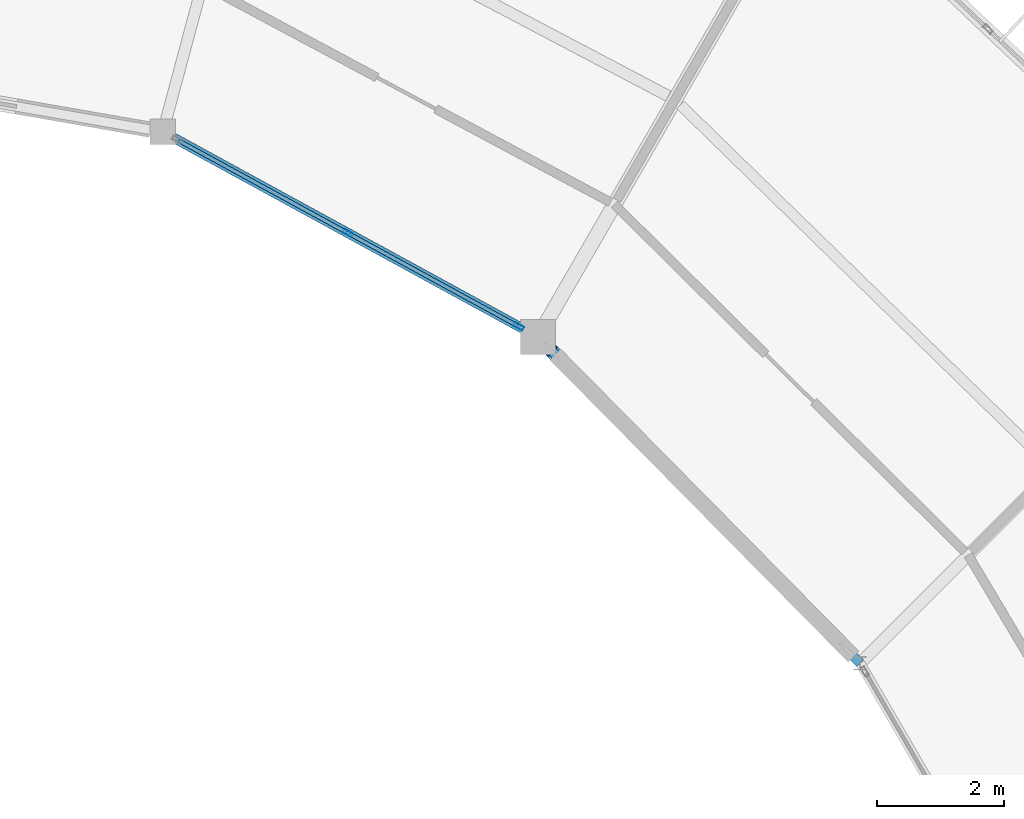
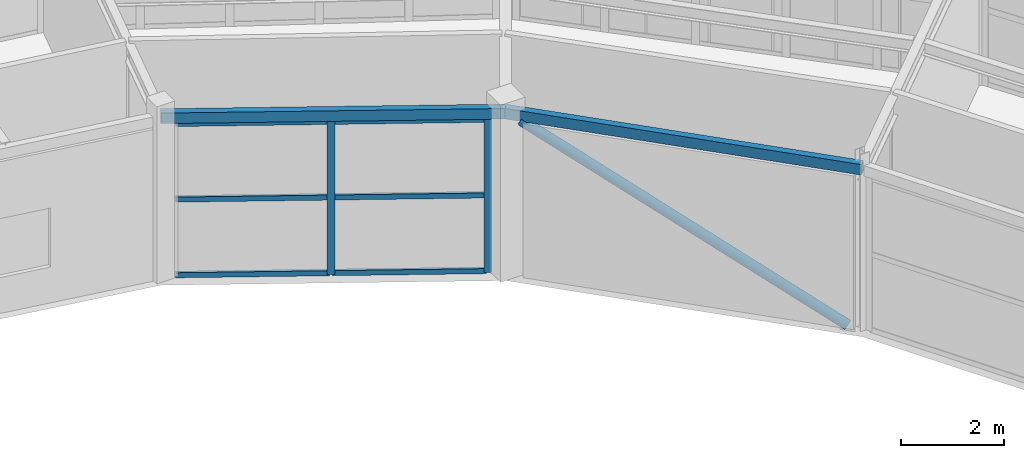
# One storey, part 67 of 106: 9 members, 2 beams, 1 element without a shape of its own.
"""IFC4 building model written with IfcOpenShell, lengths in metres."""

import ifcopenshell
import ifcopenshell.guid

model = None  # the IFC model being written
_history = None  # IfcOwnerHistory: only IFC2X3 demands one
_inside = {}  # id of a spatial element -> (the spatial element, [elements in it])
_under = {}  # id of a project, library or spatial element -> (it, [spatial elements below it])
_declared = {}  # id of a project -> (the project, [libraries it declares])
_typed = {}  # id of a type object -> (the type object, [elements of that type])
_made_of = {}  # id of a material, layer set ... -> (it, [elements and type objects made of it])


def new_model(schema):
    """Start an empty IFC model of exactly this schema.

    Asked for "IFC4X3", IfcOpenShell would pick the latest addendum, in which some entities
    have other attributes; the version numbers below select the first issue.
    IFC2X3 requires an IfcOwnerHistory on every rooted entity: one is made here for all.
    """
    global model, _history
    if schema == "IFC4X3":
        model = ifcopenshell.file(schema_version=(4, 3, 0, 0))
    else:
        model = ifcopenshell.file(schema=schema)
    _inside.clear()
    _under.clear()
    _declared.clear()
    _typed.clear()
    _made_of.clear()
    _history = None
    if model.schema == "IFC2X3":
        org = make("IfcOrganization", Name="unknown")
        user = make(
            "IfcPersonAndOrganization",
            ThePerson=make("IfcPerson", FamilyName="unknown"),
            TheOrganization=org,
        )
        app = make(
            "IfcApplication",
            ApplicationDeveloper=org,
            Version="unknown",
            ApplicationFullName="unknown",
            ApplicationIdentifier="unknown",
        )
        _history = make(
            "IfcOwnerHistory",
            OwningUser=user,
            OwningApplication=app,
            ChangeAction="ADDED",
            CreationDate=0,
        )
    return model


def make(cls, **values):
    """One entity of the class cls with the attributes given. An attribute that is None is left unset."""
    return model.create_entity(
        cls, **{name: value for name, value in values.items() if value is not None}
    )


def rooted(cls, **values):
    """An entity with a GlobalId (a new one), such as an element, a storey or a relation."""
    return make(cls, GlobalId=ifcopenshell.guid.new(), OwnerHistory=_history, **values)


def si_unit(unit_type, name, prefix=None):
    """IfcSIUnit, for example si_unit("LENGTHUNIT", "METRE", prefix="MILLI")."""
    return make("IfcSIUnit", UnitType=unit_type, Prefix=prefix, Name=name)


def assignment(units):
    """IfcUnitAssignment: the units of a project."""
    return None if units is None else make("IfcUnitAssignment", Units=units)


def point(xyz):
    """IfcCartesianPoint."""
    return None if xyz is None else make("IfcCartesianPoint", Coordinates=xyz)


def direction(xyz):
    """IfcDirection."""
    return None if xyz is None else make("IfcDirection", DirectionRatios=xyz)


def frame(location, z_axis=None, x_axis=None):
    """IfcAxis2Placement3D, a coordinate frame: its origin and axes. An axis left out is left unset."""
    return make(
        "IfcAxis2Placement3D",
        Location=point(location),
        Axis=direction(z_axis),
        RefDirection=direction(x_axis),
    )


def frame_2d(location, x_axis=None):
    """IfcAxis2Placement2D, a coordinate frame in the plane: its origin and x axis."""
    return make(
        "IfcAxis2Placement2D", Location=point(location), RefDirection=direction(x_axis)
    )


def origin():
    """The frame at (0, 0, 0) with its axes left unset."""
    return frame((0.0, 0.0, 0.0))


def origin_2d():
    """The frame at (0, 0) in the plane with its x axis left unset."""
    return frame_2d((0.0, 0.0))


def place(relative_to, where):
    """IfcLocalPlacement: puts the frame where relative to a parent placement (None: the world)."""
    return make(
        "IfcLocalPlacement", PlacementRelTo=relative_to, RelativePlacement=where
    )


def context(
    kind, dimensions, precision=None, world=None, true_north=None, identifier=None
):
    """IfcGeometricRepresentationContext, for example the 3D "Model" context."""
    return make(
        "IfcGeometricRepresentationContext",
        ContextIdentifier=identifier,
        ContextType=kind,
        CoordinateSpaceDimension=dimensions,
        Precision=precision,
        WorldCoordinateSystem=world,
        TrueNorth=true_north,
    )


def subcontext(parent, identifier, kind, view, scale=None):
    """IfcGeometricRepresentationSubContext, for example "Body" below "Model"."""
    return make(
        "IfcGeometricRepresentationSubContext",
        ContextIdentifier=identifier,
        ContextType=kind,
        ParentContext=parent,
        TargetScale=scale,
        TargetView=view,
    )


def project(units=None, contexts=None):
    """IfcProject with its units and contexts."""
    return rooted(
        "IfcProject",
        Name="project",
        RepresentationContexts=contexts,
        UnitsInContext=assignment(units),
    )


def spatial(cls, under=None, at=None, **own):
    """A site, building, storey or space (cls), placed at a placement, below another one or the project."""
    s = rooted(cls, ObjectPlacement=at, **own)
    if under is not None:
        _under.setdefault(under.id(), (under, []))[1].append(s)
    return s


def profile(cls, at=None, kind="AREA", **sizes):
    """A parametric profile (cls). Its sizes go by their IFC names, for example OverallWidth=200.0."""
    return make(cls, ProfileType=kind, Position=at, **sizes)


def hollow_rectangle(**sizes):
    """IfcRectangleHollowProfileDef."""
    return profile("IfcRectangleHollowProfileDef", **sizes)


def hollow_circle(**sizes):
    """IfcCircleHollowProfileDef."""
    return profile("IfcCircleHollowProfileDef", **sizes)


def extrude(swept, where, along, depth):
    """IfcExtrudedAreaSolid: the profile swept, set in the frame where, extruded along a direction by depth."""
    return make(
        "IfcExtrudedAreaSolid",
        SweptArea=swept,
        Position=where,
        ExtrudedDirection=direction(along),
        Depth=depth,
    )


def shape(context_of_items, identifier, shape_type, items):
    """IfcShapeRepresentation: the items that make up one representation, for example the "Body"."""
    return make(
        "IfcShapeRepresentation",
        ContextOfItems=context_of_items,
        RepresentationIdentifier=identifier,
        RepresentationType=shape_type,
        Items=items,
    )


def material(Name=None, Category=None):
    """IfcMaterial."""
    return make("IfcMaterial", Name=Name, Category=Category)


def material_profile(
    of_material, cross_section, Name=None, Category=None, Priority=None
):
    """IfcMaterialProfile: a cross section and its material."""
    return make(
        "IfcMaterialProfile",
        Name=Name,
        Material=of_material,
        Profile=cross_section,
        Priority=Priority,
        Category=Category,
    )


def profile_set(profiles, Name=None, composite=None):
    """IfcMaterialProfileSet."""
    return make(
        "IfcMaterialProfileSet",
        Name=Name,
        MaterialProfiles=profiles,
        CompositeProfile=composite,
    )


def made_of(thing, what):
    """Note that an element or type object is made of a material, layer set ...; save() writes the relation."""
    if what is not None:
        _made_of.setdefault(what.id(), (what, []))[1].append(thing)
    return thing


def type_object(cls, material=None, **own):
    """A type object (cls), such as IfcWallType, which elements share."""
    return made_of(rooted(cls, **own), material)


def element(
    cls,
    number,
    at=None,
    inside=None,
    cuts=None,
    type_object=None,
    material=None,
    context=None,
    identifier="Body",
    shape_type=None,
    held_by="IfcProductDefinitionShape",
    body=None,
    shapes=None,
    **own,
):
    """One element of the class cls, such as IfcWall. Its Tag is "e" and its number.

    at: its placement. inside: the storey or other place that contains it. cuts: it is an
    opening in that element (IfcRelVoidsElement). A single representation is given by context,
    identifier, shape_type and body (its items); several are given by shapes. held_by: the class
    of the entity that holds the representations. save() writes the other relations.
    """
    e = rooted(cls, Tag="e%d" % number, ObjectPlacement=at, **own)
    if body is not None:
        shapes = [shape(context, identifier, shape_type, body)]
    if shapes is not None:
        e.Representation = make(held_by, Representations=shapes)
    if inside is not None:
        _inside.setdefault(inside.id(), (inside, []))[1].append(e)
    if cuts is not None:
        rooted(
            "IfcRelVoidsElement", RelatingBuildingElement=cuts, RelatedOpeningElement=e
        )
    if type_object is not None:
        _typed.setdefault(type_object.id(), (type_object, []))[1].append(e)
    return made_of(e, material)


def aggregate(whole, parts):
    """IfcRelAggregates: a whole, such as a stair, and the parts it consists of."""
    return rooted("IfcRelAggregates", RelatingObject=whole, RelatedObjects=parts)


def save(model, path):
    """Write the relations noted so far, then the file.

    IfcRelAggregates (storeys below a building ...), IfcRelContainedInSpatialStructure (elements
    in a storey), IfcRelDefinesByType, IfcRelAssociatesMaterial and IfcRelDeclares: one each for
    every whole, place, type object, material and project.
    """
    for whole, parts in _under.values():
        aggregate(whole, parts)
    for where, things in _inside.values():
        rooted(
            "IfcRelContainedInSpatialStructure",
            RelatedElements=things,
            RelatingStructure=where,
        )
    for kind, things in _typed.values():
        rooted("IfcRelDefinesByType", RelatedObjects=things, RelatingType=kind)
    for what, things in _made_of.values():
        rooted("IfcRelAssociatesMaterial", RelatedObjects=things, RelatingMaterial=what)
    for by, libraries in _declared.values():
        rooted("IfcRelDeclares", RelatingContext=by, RelatedDefinitions=libraries)
    model.write(path)


model = new_model("IFC4")

# Units and contexts
model_context = context("Model", 3, precision=1e-05, world=origin(), true_north=direction((0.0, 1.0)))
body_context = subcontext(model_context, "Body", "Model", "MODEL_VIEW")
ifc_project = project(units=[si_unit("LENGTHUNIT", "METRE"), si_unit("AREAUNIT", "SQUARE_METRE"), si_unit("VOLUMEUNIT", "CUBIC_METRE"), si_unit("PLANEANGLEUNIT", "RADIAN"), si_unit("MASSUNIT", "GRAM", prefix="KILO")], contexts=[model_context])

# Site, building, storey
site_placement = place(None, origin())
site = spatial("IfcSite", under=ifc_project, at=site_placement, CompositionType="ELEMENT")
building_placement = place(site_placement, origin())
building = spatial("IfcBuilding", under=site, at=building_placement, Name="Karori Crest Natural Sciences Institute", CompositionType="ELEMENT")
storey_placement = place(building_placement, frame((0.0, 0.0, 25.89990234375)))
storey = spatial("IfcBuildingStorey", under=building, at=storey_placement, Name="L06", CompositionType="ELEMENT", Elevation=25.89990234375)

# Beams
ifc_material_1 = material(Name="Hollow structural steel AS/NZS 1163 Grade C350", Category="steel")
ifc_material_profile_1 = material_profile(ifc_material_1, hollow_rectangle(XDim=0.14990234375, YDim=0.25, WallThickness=0.009033203125, at=origin_2d()), Name="RHS250x150x9")
ifc_profile_set_1 = profile_set([ifc_material_profile_1], Name="Hollow structural steel AS/NZS 1163 Grade C350")
beam_type = type_object("IfcBeamType", Name="BT-16", PredefinedType="SPANDREL", material=ifc_profile_set_1)
beam_1_placement = place(storey_placement, frame((83.6533203125, 72.668701171875, 3.7900390625), z_axis=(-0.702645672149, 0.711539921164, 0.0), x_axis=(-0.711539921164, -0.702645672149, 0.0)))
element("IfcBeam", 1, at=beam_1_placement, inside=storey, type_object=beam_type, Name="Beam B-0630", PredefinedType="SPANDREL", context=body_context, shape_type="SweptSolid", body=[
    extrude(hollow_rectangle(XDim=0.14990234375, YDim=0.25, WallThickness=0.009033203125, at=origin_2d()), origin(), (0.0, 0.0, 1.0), 7.191650390625),
])
beam_2_placement = place(storey_placement, frame((78.60009765625, 77.785888671875, 3.7900390625), z_axis=(-0.877469531616, 0.47963238119, 0.0), x_axis=(-0.47963238119, -0.877469531616, 0.0)))
element("IfcBeam", 2, at=beam_2_placement, inside=storey, type_object=beam_type, Name="Beam B-0634", PredefinedType="SPANDREL", context=body_context, shape_type="SweptSolid", body=[
    extrude(hollow_rectangle(XDim=0.14990234375, YDim=0.25, WallThickness=0.009033203125, at=origin_2d()), origin(), (0.0, 0.0, 1.0), 6.706787109375),
])

# Curtain wall, members
ifc_material_2 = material(Name="Anodised architectural aluminium 6063-T6", Category="aluminium")
curtain_wall_type = type_object("IfcCurtainWallType", Name="CWT-15", PredefinedType="NOTDEFINED", material=ifc_material_2)
curtain_wall_placement = place(storey_placement, origin())
curtain_wall = element("IfcCurtainWall", 3, at=curtain_wall_placement, inside=storey, type_object=curtain_wall_type, Name="Curtain wall CW-0227", PredefinedType="NOTDEFINED")
ifc_material_profile_2 = material_profile(ifc_material_2, hollow_rectangle(XDim=0.06494140625, YDim=0.159912109375, WallThickness=0.00390625, at=origin_2d()), Name="CWM160x65x4")
ifc_profile_set_2 = profile_set([ifc_material_profile_2], Name="Anodised architectural aluminium 6063-T6")
member_type_1 = type_object("IfcMemberType", Name="CWM-01", PredefinedType="MULLION", material=ifc_profile_set_2)
member_1_placement = place(storey_placement, frame((78.29833984375, 77.950927734375, 0.0), z_axis=(0.0, 0.0, 1.0), x_axis=(-0.479631017431, -0.877470277057, 0.0)))
member_1 = element("IfcMember", 4, at=member_1_placement, type_object=member_type_1, Name="CW-0227 mullion 1", PredefinedType="MULLION", context=body_context, shape_type="SweptSolid", body=[
    extrude(hollow_rectangle(XDim=0.06494140625, YDim=0.159912109375, WallThickness=0.00390625, at=origin_2d()), origin(), (0.0, 0.0, 1.0), 3.650146484375),
])
member_2_placement = place(storey_placement, frame((75.6201171875, 79.414794921875, 0.0), z_axis=(0.0, 0.0, 1.0), x_axis=(-0.479631017431, -0.877470277057, 0.0)))
member_2 = element("IfcMember", 5, at=member_2_placement, type_object=member_type_1, Name="CW-0227 mullion 2", PredefinedType="MULLION", context=body_context, shape_type="SweptSolid", body=[
    extrude(hollow_rectangle(XDim=0.06494140625, YDim=0.159912109375, WallThickness=0.00390625, at=origin_2d()), origin(), (0.0, 0.0, 1.0), 3.650146484375),
])
ifc_material_profile_3 = material_profile(ifc_material_2, hollow_rectangle(XDim=0.06005859375, YDim=0.1201171875, WallThickness=0.00390625, at=origin_2d()), Name="CWT120x60x4")
ifc_profile_set_3 = profile_set([ifc_material_profile_3], Name="Anodised architectural aluminium 6063-T6")
member_type_2 = type_object("IfcMemberType", Name="CWT-TR1", PredefinedType="USERDEFINED", material=ifc_profile_set_3)
member_3_placement = place(storey_placement, frame((78.269775390625, 77.966552734375, 0.030029296875), z_axis=(-0.877448541585, 0.479670779672, 0.0), x_axis=(-0.479670779672, -0.877448541585, 0.0)))
member_3 = element("IfcMember", 6, at=member_3_placement, type_object=member_type_2, Name="CW-0227 transom 1.1", ObjectType="TRANSOM", PredefinedType="USERDEFINED", context=body_context, shape_type="SweptSolid", body=[
    extrude(hollow_rectangle(XDim=0.06005859375, YDim=0.1201171875, WallThickness=0.00390625, at=origin_2d()), origin(), (0.0, 0.0, 1.0), 2.987060546875),
])
member_4_placement = place(storey_placement, frame((78.269775390625, 77.966552734375, 1.8251953125), z_axis=(-0.877448541585, 0.479670779672, 0.0), x_axis=(-0.479670779672, -0.877448541585, 0.0)))
member_4 = element("IfcMember", 7, at=member_4_placement, type_object=member_type_2, Name="CW-0227 transom 1.2", ObjectType="TRANSOM", PredefinedType="USERDEFINED", context=body_context, shape_type="SweptSolid", body=[
    extrude(hollow_rectangle(XDim=0.06005859375, YDim=0.1201171875, WallThickness=0.00390625, at=origin_2d()), origin(), (0.0, 0.0, 1.0), 2.987060546875),
])
member_5_placement = place(storey_placement, frame((78.269775390625, 77.966552734375, 3.6201171875), z_axis=(-0.877448541585, 0.479670779672, 0.0), x_axis=(-0.479670779672, -0.877448541585, 0.0)))
member_5 = element("IfcMember", 8, at=member_5_placement, type_object=member_type_2, Name="CW-0227 transom 1.3", ObjectType="TRANSOM", PredefinedType="USERDEFINED", context=body_context, shape_type="SweptSolid", body=[
    extrude(hollow_rectangle(XDim=0.06005859375, YDim=0.1201171875, WallThickness=0.00390625, at=origin_2d()), origin(), (0.0, 0.0, 1.0), 2.987060546875),
])
member_6_placement = place(storey_placement, frame((75.591552734375, 79.430419921875, 0.030029296875), z_axis=(-0.877448541585, 0.479670779672, 0.0), x_axis=(-0.479670779672, -0.877448541585, 0.0)))
member_6 = element("IfcMember", 9, at=member_6_placement, type_object=member_type_2, Name="CW-0227 transom 2.1", ObjectType="TRANSOM", PredefinedType="USERDEFINED", context=body_context, shape_type="SweptSolid", body=[
    extrude(hollow_rectangle(XDim=0.06005859375, YDim=0.1201171875, WallThickness=0.00390625, at=origin_2d()), origin(), (0.0, 0.0, 1.0), 2.987060546875),
])
member_7_placement = place(storey_placement, frame((75.591552734375, 79.430419921875, 1.8251953125), z_axis=(-0.877448541585, 0.479670779672, 0.0), x_axis=(-0.479670779672, -0.877448541585, 0.0)))
member_7 = element("IfcMember", 10, at=member_7_placement, type_object=member_type_2, Name="CW-0227 transom 2.2", ObjectType="TRANSOM", PredefinedType="USERDEFINED", context=body_context, shape_type="SweptSolid", body=[
    extrude(hollow_rectangle(XDim=0.06005859375, YDim=0.1201171875, WallThickness=0.00390625, at=origin_2d()), origin(), (0.0, 0.0, 1.0), 2.987060546875),
])
member_8_placement = place(storey_placement, frame((75.591552734375, 79.430419921875, 3.6201171875), z_axis=(-0.877448541585, 0.479670779672, 0.0), x_axis=(-0.479670779672, -0.877448541585, 0.0)))
member_8 = element("IfcMember", 11, at=member_8_placement, type_object=member_type_2, Name="CW-0227 transom 2.3", ObjectType="TRANSOM", PredefinedType="USERDEFINED", context=body_context, shape_type="SweptSolid", body=[
    extrude(hollow_rectangle(XDim=0.06005859375, YDim=0.1201171875, WallThickness=0.00390625, at=origin_2d()), origin(), (0.0, 0.0, 1.0), 2.987060546875),
])
aggregate(curtain_wall, [member_1, member_2, member_3, member_4, member_5, member_6, member_7, member_8])

# Member
ifc_material_profile_4 = material_profile(ifc_material_1, hollow_circle(Radius=0.109619140625, WallThickness=0.00830078125, at=origin_2d()), Name="CHS219.1x8.2")
ifc_profile_set_4 = profile_set([ifc_material_profile_4], Name="Hollow structural steel AS/NZS 1163 Grade C350")
member_type_3 = type_object("IfcMemberType", Name="MT-02", PredefinedType="BRACE", material=ifc_profile_set_4)
member_9_placement = place(storey_placement, frame((83.442626953125, 72.88232421875, 0.010009765625), z_axis=(-0.615109843924, 0.62285869764, 0.483411752736), x_axis=(-0.711518857686, -0.702667001614, 0.0)))
element("IfcMember", 12, at=member_9_placement, inside=storey, type_object=member_type_3, Name="Diagonal Brace M-0028", PredefinedType="BRACE", context=body_context, shape_type="SweptSolid", body=[
    extrude(hollow_circle(Radius=0.109619140625, WallThickness=0.00830078125, at=origin_2d()), origin(), (0.0, 0.0, 1.0), 7.530029296875),
])

save(model, "model.ifc")
